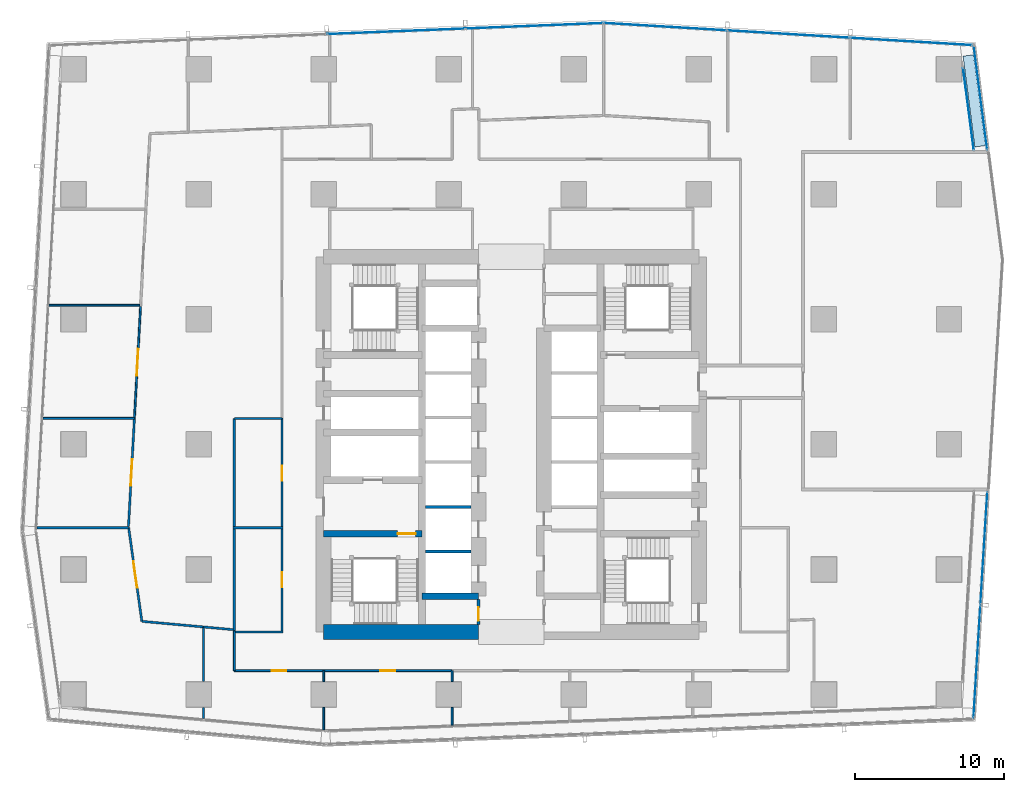
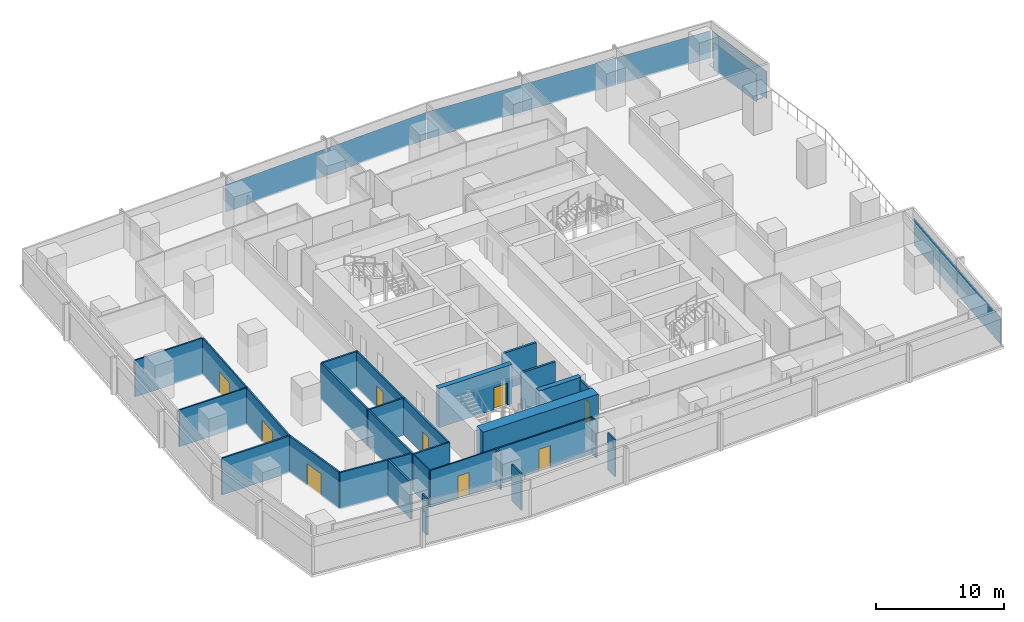
# One storey, part 28 of 40: 30 walls, 10 plates, 9 doors, 9 openings, 5 elements without a shape of their own.
"""IFC4 building model written with IfcOpenShell, lengths in metres."""

from ifc_helpers import new_model, si_unit, direction, frame, frame_2d, origin, origin_2d, place, context, subcontext, project, spatial, rectangle, extrude, material, layer, layer_set, type_object, element, fill, aggregate, save


model = new_model("IFC4")

# Units and contexts
model_context = context("Model", 3, precision=1e-05, world=origin(), true_north=direction((0.0, 1.0)))
body_context = subcontext(model_context, "Body", "Model", "MODEL_VIEW")
ifc_project = project(units=[si_unit("LENGTHUNIT", "METRE"), si_unit("AREAUNIT", "SQUARE_METRE"), si_unit("VOLUMEUNIT", "CUBIC_METRE"), si_unit("PLANEANGLEUNIT", "RADIAN"), si_unit("MASSUNIT", "GRAM", prefix="KILO")], contexts=[model_context])

# Site, building, storey
site_placement = place(None, origin())
site = spatial("IfcSite", under=ifc_project, at=site_placement, CompositionType="ELEMENT")
building_placement = place(site_placement, origin())
building = spatial("IfcBuilding", under=site, at=building_placement, Name="Rekha Terrace Tower", CompositionType="ELEMENT")
storey_placement = place(building_placement, frame((0.0, 0.0, 99.050048828125)))
storey = spatial("IfcBuildingStorey", under=building, at=storey_placement, Name="L24", CompositionType="ELEMENT", Elevation=99.050048828125)

# Curtain wall, plate
ifc_material_1 = material(Name="Aluminium framing", Category="aluminium")
curtain_wall_type_1 = type_object("IfcCurtainWallType", Name="CW1 double skin inner glazing", PredefinedType="USERDEFINED", material=ifc_material_1)
curtain_wall_1_placement = place(storey_placement, origin())
curtain_wall_1 = element("IfcCurtainWall", 1, at=curtain_wall_1_placement, inside=storey, type_object=curtain_wall_type_1, Name="CW1 double skin inner glazing", ObjectType="DOUBLE SKIN INNER GLAZING", PredefinedType="USERDEFINED")
ifc_material_2 = material(Name="Double-glazed low-e unit 32", Category="glass")
ifc_layer_1 = layer(ifc_material_2, 0.031982421875)
ifc_layer_set_1 = layer_set([ifc_layer_1], Name="Double-glazed low-e unit 32")
plate_type_1 = type_object("IfcPlateType", Name="CW1 jumbo vision panel, double-glazed low-e unit 32", PredefinedType="CURTAIN_PANEL", material=ifc_layer_set_1)
plate_1_placement = place(storey_placement, frame((68.512451171875, 56.134033203125, 0.0), z_axis=(0.0, 0.0, 1.0), x_axis=(-0.129118383745, 0.991629186228, 0.0)))
plate_1 = element("IfcPlate", 2, at=plate_1_placement, type_object=plate_type_1, Name="CW1 panel 1.1", PredefinedType="CURTAIN_PANEL", context=body_context, shape_type="SweptSolid", body=[
    extrude(rectangle(XDim=5.53564453125, YDim=0.031982421875, at=origin_2d()), origin(), (0.0, 0.0, 1.0), 2.60009765625),
])
aggregate(curtain_wall_1, [plate_1])

# Curtain wall, plates
curtain_wall_type_2 = type_object("IfcCurtainWallType", Name="CW2 double skin outer glazing", PredefinedType="USERDEFINED", material=ifc_material_1)
curtain_wall_2_placement = place(storey_placement, origin())
curtain_wall_2 = element("IfcCurtainWall", 3, at=curtain_wall_2_placement, inside=storey, type_object=curtain_wall_type_2, Name="CW2 double skin outer glazing", ObjectType="DOUBLE SKIN OUTER GLAZING", PredefinedType="USERDEFINED")
ifc_material_3 = material(Name="Toughened single glazing 12", Category="glass")
ifc_layer_2 = layer(ifc_material_3, 0.011962890625)
ifc_layer_set_2 = layer_set([ifc_layer_2], Name="Toughened single glazing 12")
plate_type_2 = type_object("IfcPlateType", Name="CW2 jumbo vision panel, toughened single glazing 12", PredefinedType="CURTAIN_PANEL", material=ifc_layer_set_2)
plate_2_placement = place(storey_placement, frame((69.085205078125, 19.005126953125, 0.0), z_axis=(0.0, 0.0, 1.0), x_axis=(0.061159803148, 0.998127987023, 0.0)))
plate_2 = element("IfcPlate", 4, at=plate_2_placement, type_object=plate_type_2, Name="CW2 panel 1.1", PredefinedType="CURTAIN_PANEL", context=body_context, shape_type="SweptSolid", body=[
    extrude(rectangle(XDim=7.55615234375, YDim=0.011962890625, at=origin_2d()), origin(), (0.0, 0.0, 1.0), 2.60009765625),
])
plate_3_placement = place(storey_placement, frame((69.55224609375, 26.627197265625, 0.0), z_axis=(0.0, 0.0, 1.0), x_axis=(0.061159803148, 0.998127987023, 0.0)))
plate_3 = element("IfcPlate", 5, at=plate_3_placement, type_object=plate_type_2, Name="CW2 panel 2.1", PredefinedType="CURTAIN_PANEL", context=body_context, shape_type="SweptSolid", body=[
    extrude(rectangle(XDim=7.55615234375, YDim=0.011962890625, at=origin_2d()), origin(), (0.0, 0.0, 1.0), 2.60009765625),
])
aggregate(curtain_wall_2, [plate_2, plate_3])

# Curtain wall, plate
curtain_wall_3_placement = place(storey_placement, origin())
curtain_wall_3 = element("IfcCurtainWall", 6, at=curtain_wall_3_placement, inside=storey, type_object=curtain_wall_type_2, Name="CW2 double skin outer glazing", ObjectType="DOUBLE SKIN OUTER GLAZING", PredefinedType="USERDEFINED")
plate_4_placement = place(storey_placement, frame((69.322265625, 56.88671875, 0.0), z_axis=(0.0, 0.0, 1.0), x_axis=(-0.12911838371, 0.991629186232, 0.0)))
plate_4 = element("IfcPlate", 7, at=plate_4_placement, type_object=plate_type_2, Name="CW2 panel 1.1", PredefinedType="CURTAIN_PANEL", context=body_context, shape_type="SweptSolid", body=[
    extrude(rectangle(XDim=7.0234375, YDim=0.011962890625, at=origin_2d()), origin(), (0.0, 0.0, 1.0), 2.60009765625),
])
aggregate(curtain_wall_3, [plate_4])

# Curtain wall, plates
curtain_wall_type_3 = type_object("IfcCurtainWallType", Name="CW3 north unitised glazing", PredefinedType="USERDEFINED", material=ifc_material_1)
curtain_wall_4_placement = place(storey_placement, origin())
curtain_wall_4 = element("IfcCurtainWall", 8, at=curtain_wall_4_placement, inside=storey, type_object=curtain_wall_type_3, Name="CW3 unitised curtain wall", ObjectType="UNITISED CURTAIN WALL", PredefinedType="USERDEFINED")
ifc_material_4 = material(Name="Double-glazed unit 28", Category="glass")
ifc_layer_3 = layer(ifc_material_4, 0.028076171875)
ifc_layer_set_3 = layer_set([ifc_layer_3], Name="Double-glazed unit 28")
plate_type_3 = type_object("IfcPlateType", Name="CW3 jumbo vision panel, double-glazed unit 28", PredefinedType="CURTAIN_PANEL", material=ifc_layer_set_3)
plate_5_placement = place(storey_placement, frame((64.6748046875, 60.65966796875, 0.0), z_axis=(0.0, 0.0, 1.0), x_axis=(-0.998199102701, 0.059987926837, 0.0)))
plate_5 = element("IfcPlate", 9, at=plate_5_placement, type_object=plate_type_3, Name="CW3 panel 1.1", PredefinedType="CURTAIN_PANEL", context=body_context, shape_type="SweptSolid", body=[
    extrude(rectangle(XDim=8.171630859375, YDim=0.028076171875, at=origin_2d()), origin(), (0.0, 0.0, 1.0), 2.60009765625),
])
plate_6_placement = place(storey_placement, frame((56.430419921875, 61.155029296875, 0.0), z_axis=(0.0, 0.0, 1.0), x_axis=(-0.998199102701, 0.059987926837, 0.0)))
plate_6 = element("IfcPlate", 10, at=plate_6_placement, type_object=plate_type_3, Name="CW3 panel 2.1", PredefinedType="CURTAIN_PANEL", context=body_context, shape_type="SweptSolid", body=[
    extrude(rectangle(XDim=8.20654296875, YDim=0.028076171875, at=origin_2d()), origin(), (0.0, 0.0, 1.0), 2.60009765625),
])
plate_7_placement = place(storey_placement, frame((48.1513671875, 61.652587890625, 0.0), z_axis=(0.0, 0.0, 1.0), x_axis=(-0.998199102701, 0.059987926837, 0.0)))
plate_7 = element("IfcPlate", 11, at=plate_7_placement, type_object=plate_type_3, Name="CW3 panel 3.1", PredefinedType="CURTAIN_PANEL", context=body_context, shape_type="SweptSolid", body=[
    extrude(rectangle(XDim=8.24169921875, YDim=0.028076171875, at=origin_2d()), origin(), (0.0, 0.0, 1.0), 2.60009765625),
])
aggregate(curtain_wall_4, [plate_5, plate_6, plate_7])

curtain_wall_5_placement = place(storey_placement, origin())
curtain_wall_5 = element("IfcCurtainWall", 12, at=curtain_wall_5_placement, inside=storey, type_object=curtain_wall_type_3, Name="CW3 unitised curtain wall", ObjectType="UNITISED CURTAIN WALL", PredefinedType="USERDEFINED")
plate_8_placement = place(storey_placement, frame((39.364501953125, 61.71240234375, 0.0), z_axis=(0.0, 0.0, 1.0), x_axis=(-0.999198398721, -0.040031987119, 0.0)))
plate_8 = element("IfcPlate", 13, at=plate_8_placement, type_object=plate_type_3, Name="CW3 panel 1.1", PredefinedType="CURTAIN_PANEL", context=body_context, shape_type="SweptSolid", body=[
    extrude(rectangle(XDim=9.214599609375, YDim=0.028076171875, at=origin_2d()), origin(), (0.0, 0.0, 1.0), 2.60009765625),
])
plate_9_placement = place(storey_placement, frame((30.06982421875, 61.340087890625, 0.0), z_axis=(0.0, 0.0, 1.0), x_axis=(-0.999198398721, -0.040031987119, 0.0)))
plate_9 = element("IfcPlate", 14, at=plate_9_placement, type_object=plate_type_3, Name="CW3 panel 2.1", PredefinedType="CURTAIN_PANEL", context=body_context, shape_type="SweptSolid", body=[
    extrude(rectangle(XDim=9.24951171875, YDim=0.028076171875, at=origin_2d()), origin(), (0.0, 0.0, 1.0), 2.60009765625),
])
aggregate(curtain_wall_5, [plate_8, plate_9])

# Plate
ifc_material_5 = material(Name="Galvanised steel open grating", Category="steel")
ifc_layer_4 = layer(ifc_material_5, 0.050048828125)
ifc_layer_set_4 = layer_set([ifc_layer_4], Name="Galvanised steel open grating")
plate_type_4 = type_object("IfcPlateType", Name="GT1 cavity walkway grating 50", PredefinedType="USERDEFINED", material=ifc_layer_set_4)
plate_10_placement = place(storey_placement, frame((68.896240234375, 56.673095703125, 0.0), z_axis=(0.0, 0.0, 1.0), x_axis=(-0.129118383623, 0.991629186244, 0.0)))
element("IfcPlate", 15, at=plate_10_placement, inside=storey, type_object=plate_type_4, Name="Cavity walkway grating", ObjectType="CAVITY WALKWAY GRATING", PredefinedType="USERDEFINED", context=body_context, shape_type="SweptSolid", body=[
    extrude(rectangle(XDim=6.15283203125, YDim=0.705078125, at=origin_2d()), origin(), (0.0, 0.0, 1.0), 0.050048828125),
])

# Wall
ifc_material_6 = material(Name="Concrete M70", Category="concrete")
ifc_layer_5 = layer(ifc_material_6, 0.449951171875)
ifc_layer_set_5 = layer_set([ifc_layer_5], Name="Concrete M70")
wall_type_1 = type_object("IfcWallType", Name="CI2 450 core internal shear wall", PredefinedType="SHEAR", material=ifc_layer_set_5)
wall_1_placement = place(storey_placement, frame((31.800048828125, 23.39990234375, 0.0), z_axis=(0.0, 0.0, 1.0), x_axis=(1.0, 0.0, 0.0)))
element("IfcWall", 16, at=wall_1_placement, inside=storey, type_object=wall_type_1, Name="Core wall Y234W L24", PredefinedType="SHEAR", context=body_context, shape_type="SweptSolid", body=[
    extrude(rectangle(XDim=3.800048828125, YDim=0.449951171875, at=frame_2d((1.89990234375, 0.0))), origin(), (0.0, 0.0, 1.0), 3.75),
])

# Wall, opening, door
wall_2_placement = place(storey_placement, frame((25.199951171875, 27.60009765625, 0.0), z_axis=(0.0, 0.0, 1.0), x_axis=(1.0, 0.0, 0.0)))
wall_2 = element("IfcWall", 17, at=wall_2_placement, inside=storey, type_object=wall_type_1, Name="Core wall Y276W L24", PredefinedType="SHEAR", context=body_context, shape_type="SweptSolid", body=[
    extrude(rectangle(XDim=6.60009765625, YDim=0.449951171875, at=frame_2d((3.300048828125, 0.0))), origin(), (0.0, 0.0, 1.0), 3.75),
])
opening_1_placement = place(wall_2_placement, frame((4.97509765625, 0.0, 0.0)))
opening_1 = element("IfcOpeningElement", 18, at=opening_1_placement, cuts=wall_2, Name="Opening D1", PredefinedType="OPENING", context=body_context, shape_type="SweptSolid", body=[
    extrude(rectangle(XDim=1.199951171875, YDim=2.10009765625, at=frame_2d((0.60009765625, 1.050048828125))), frame((0.0, 0.23486328125, 0.0), z_axis=(0.0, -1.0, 0.0), x_axis=(1.0, 0.0, 0.0)), (0.0, 0.0, 1.0), 0.469970703125),
])
ifc_material_7 = material(Name="Steel fire door", Category="steel")
door_type_1 = type_object("IfcDoorType", Name="D1 1200x2100 stair fire door", OperationType="SINGLE_SWING_RIGHT", PredefinedType="DOOR", material=ifc_material_7)
door_1_placement = place(opening_1_placement, origin())
door_1 = element("IfcDoor", 19, at=door_1_placement, inside=storey, type_object=door_type_1, Name="Stair ST1 door L24", OperationType="SINGLE_SWING_RIGHT", OverallHeight=2.10009765625, OverallWidth=1.199951171875, PredefinedType="DOOR", context=body_context, shape_type="SweptSolid", body=[
    extrude(rectangle(XDim=1.199951171875, YDim=2.10009765625, at=frame_2d((0.60009765625, 1.050048828125))), frame((0.0, 0.02490234375, 0.0), z_axis=(0.0, -1.0, 0.0), x_axis=(1.0, 0.0, 0.0)), (0.0, 0.0, 1.0), 0.050048828125),
])
fill(opening_1, door_1)

# Walls
ifc_layer_6 = layer(ifc_material_6, 1.0)
ifc_layer_set_6 = layer_set([ifc_layer_6], Name="Concrete M70")
wall_type_2 = type_object("IfcWallType", Name="SW2 1000 core outer shear wall", PredefinedType="SHEAR", material=ifc_layer_set_6)
wall_3_placement = place(storey_placement, frame((25.199951171875, 21.0, 0.0), z_axis=(0.0, 0.0, 1.0), x_axis=(1.0, 0.0, 0.0)))
element("IfcWall", 20, at=wall_3_placement, inside=storey, type_object=wall_type_2, Name="Core wall S1 L24", PredefinedType="SHEAR", context=body_context, shape_type="SweptSolid", body=[
    extrude(rectangle(XDim=10.400146484375, YDim=1.0, at=frame_2d((5.2001953125, 0.0))), origin(), (0.0, 0.0, 1.0), 3.75),
])
ifc_material_8 = material(Name="Concrete block masonry, 1 hour", Category="masonry")
ifc_layer_7 = layer(ifc_material_8, 0.14990234375)
ifc_layer_set_7 = layer_set([ifc_layer_7], Name="Concrete block masonry, 1 hour")
wall_type_3 = type_object("IfcWallType", Name="WP2 150 tenancy partition", PredefinedType="PARTITIONING", material=ifc_layer_set_7)
for number, where, z_axis, x_axis, name in (
    (21, (19.125, 21.0, 0.0), (0.0, 0.0, 1.0), (1.0, 0.0, 0.0), "Men's WC wall L24"),
    (22, (19.125, 28.0, 0.0), (0.0, 0.0, 1.0), (1.0, 0.0, 0.0), "Men's WC wall L24"),
):
    element("IfcWall", number, at=place(storey_placement, frame(where, z_axis=z_axis, x_axis=x_axis)), inside=storey, type_object=wall_type_3, Name=name, PredefinedType="PARTITIONING", context=body_context, shape_type="SweptSolid", body=[
        extrude(rectangle(XDim=3.35009765625, YDim=0.14990234375, at=frame_2d((1.675048828125, 0.0))), origin(), (0.0, 0.0, 1.0), 3.5),
    ])
wall_4_placement = place(storey_placement, frame((19.199951171875, 21.074951171875, 0.0), z_axis=(0.0, 0.0, 1.0), x_axis=(0.0, 1.0, 0.0)))
element("IfcWall", 23, at=wall_4_placement, inside=storey, type_object=wall_type_3, Name="Men's WC wall L24", PredefinedType="PARTITIONING", context=body_context, shape_type="SweptSolid", body=[
    extrude(rectangle(XDim=6.85009765625, YDim=0.14990234375, at=frame_2d((3.425048828125, 0.0))), origin(), (0.0, 0.0, 1.0), 3.5),
])

# Wall, opening, door
wall_5_placement = place(storey_placement, frame((22.39990234375, 21.074951171875, 0.0), z_axis=(0.0, 0.0, 1.0), x_axis=(0.0, 1.0, 0.0)))
wall_5 = element("IfcWall", 24, at=wall_5_placement, inside=storey, type_object=wall_type_3, Name="Men's WC wall L24", PredefinedType="PARTITIONING", context=body_context, shape_type="SweptSolid", body=[
    extrude(rectangle(XDim=6.85009765625, YDim=0.14990234375, at=frame_2d((3.425048828125, 0.0))), origin(), (0.0, 0.0, 1.0), 3.5),
])
opening_2_placement = place(wall_5_placement, frame((2.925048828125, 0.0, 0.0)))
opening_2 = element("IfcOpeningElement", 25, at=opening_2_placement, cuts=wall_5, Name="Opening D3", PredefinedType="OPENING", context=body_context, shape_type="SweptSolid", body=[
    extrude(rectangle(XDim=1.0, YDim=2.10009765625, at=frame_2d((0.5, 1.050048828125))), frame((0.0, 0.0849609375, 0.0), z_axis=(0.0, -1.0, 0.0), x_axis=(1.0, 0.0, 0.0)), (0.0, 0.0, 1.0), 0.169921875),
])
ifc_material_9 = material(Name="Laminated timber fire door", Category="wood")
door_type_2 = type_object("IfcDoorType", Name="D3 1000x2100 WC door", OperationType="SINGLE_SWING_LEFT", PredefinedType="DOOR", material=ifc_material_9)
door_2_placement = place(opening_2_placement, origin())
door_2 = element("IfcDoor", 26, at=door_2_placement, inside=storey, type_object=door_type_2, Name="Door men's wc L24", OperationType="SINGLE_SWING_LEFT", OverallHeight=2.10009765625, OverallWidth=1.0, PredefinedType="DOOR", context=body_context, shape_type="SweptSolid", body=[
    extrude(rectangle(XDim=1.0, YDim=2.10009765625, at=frame_2d((0.5, 1.050048828125))), frame((0.0, 0.02490234375, 0.0), z_axis=(0.0, -1.0, 0.0), x_axis=(1.0, 0.0, 0.0)), (0.0, 0.0, 1.0), 0.050048828125),
])
fill(opening_2, door_2)

# Walls
wall_6_placement = place(storey_placement, frame((22.39990234375, 35.343994140625, 0.0), z_axis=(0.0, 0.0, 1.0), x_axis=(-1.0, 0.0, 0.0)))
element("IfcWall", 27, at=wall_6_placement, inside=storey, type_object=wall_type_3, Name="Partition L24-O2b", PredefinedType="PARTITIONING", context=body_context, shape_type="SweptSolid", body=[
    extrude(rectangle(XDim=3.199951171875, YDim=0.14990234375, at=frame_2d((1.60009765625, 0.0))), origin(), (0.0, 0.0, 1.0), 3.5),
])
wall_7_placement = place(storey_placement, frame((19.199951171875, 35.343994140625, 0.0), z_axis=(0.0, 0.0, 1.0), x_axis=(0.0, -1.0, 0.0)))
element("IfcWall", 28, at=wall_7_placement, inside=storey, type_object=wall_type_3, Name="Partition L24-O2b", PredefinedType="PARTITIONING", context=body_context, shape_type="SweptSolid", body=[
    extrude(rectangle(XDim=7.4189453125, YDim=0.14990234375, at=frame_2d((3.70947265625, 0.0))), origin(), (0.0, 0.0, 1.0), 3.5),
])
wall_8_placement = place(storey_placement, frame((19.125, 21.153076171875, 0.0), z_axis=(0.0, 0.0, 1.0), x_axis=(-0.995937155539, 0.090050997869, 0.0)))
element("IfcWall", 29, at=wall_8_placement, inside=storey, type_object=wall_type_3, Name="Partition L24-O2b", PredefinedType="PARTITIONING", context=body_context, shape_type="SweptSolid", body=[
    extrude(rectangle(XDim=1.998046875, YDim=0.14990234375, at=frame_2d((0.9990234375, 0.0))), origin(), (0.0, 0.0, 1.0), 3.5),
])
wall_9_placement = place(storey_placement, frame((17.135009765625, 21.3330078125, 0.0), z_axis=(0.0, 0.0, 1.0), x_axis=(0.0, -1.0, 0.0)))
element("IfcWall", 30, at=wall_9_placement, inside=storey, type_object=wall_type_3, Name="Partition L24-O2b", PredefinedType="PARTITIONING", context=body_context, shape_type="SweptSolid", body=[
    extrude(rectangle(XDim=3.6630859375, YDim=0.14990234375, at=frame_2d((1.83154296875, 0.0))), origin(), (0.0, 0.0, 1.0), 3.5),
])
wall_10_placement = place(storey_placement, frame((17.135009765625, 15.929931640625, 0.0), z_axis=(0.0, 0.0, 1.0), x_axis=(0.0, -1.0, 0.0)))
element("IfcWall", 31, at=wall_10_placement, inside=storey, type_object=wall_type_3, Name="Partition L24-O2b", PredefinedType="PARTITIONING", context=body_context, shape_type="SweptSolid", body=[
    extrude(rectangle(XDim=0.741943359375, YDim=0.14990234375, at=frame_2d((0.37109375, 0.0))), origin(), (0.0, 0.0, 1.0), 3.5),
])
wall_11_placement = place(storey_placement, frame((17.134033203125, 21.3330078125, 0.0), z_axis=(0.0, 0.0, 1.0), x_axis=(-0.995896088747, 0.090504035375, 0.0)))
element("IfcWall", 32, at=wall_11_placement, inside=storey, type_object=wall_type_3, Name="Partition L24-O2b", PredefinedType="PARTITIONING", context=body_context, shape_type="SweptSolid", body=[
    extrude(rectangle(XDim=4.1650390625, YDim=0.14990234375, at=frame_2d((2.08251953125, 0.0))), origin(), (0.0, 0.0, 1.0), 3.5),
])

# Wall, opening, door
wall_12_placement = place(storey_placement, frame((12.986083984375, 21.7099609375, 0.0), z_axis=(0.0, 0.0, 1.0), x_axis=(-0.139650607895, 0.99020084211, 0.0)))
wall_12 = element("IfcWall", 33, at=wall_12_placement, inside=storey, type_object=wall_type_3, Name="Partition L24-O2b", PredefinedType="PARTITIONING", context=body_context, shape_type="SweptSolid", body=[
    extrude(rectangle(XDim=6.351318359375, YDim=0.14990234375, at=frame_2d((3.17578125, 0.0))), origin(), (0.0, 0.0, 1.0), 3.5),
])
opening_3_placement = place(wall_12_placement, frame((2.27587890625, 0.0, 0.0)))
opening_3 = element("IfcOpeningElement", 34, at=opening_3_placement, cuts=wall_12, Name="Opening D8", PredefinedType="OPENING", context=body_context, shape_type="SweptSolid", body=[
    extrude(rectangle(XDim=1.800048828125, YDim=2.10009765625, at=frame_2d((0.89990234375, 1.050048828125))), frame((0.0, 0.0849609375, 0.0), z_axis=(0.0, -1.0, 0.0), x_axis=(1.0, 0.0, 0.0)), (0.0, 0.0, 1.0), 0.169921875),
])
ifc_material_10 = material(Name="Timber fire door", Category="wood")
door_type_3 = type_object("IfcDoorType", Name="D8 1800x2100 double leaf door", OperationType="DOUBLE_DOOR_SINGLE_SWING", PredefinedType="DOOR", material=ifc_material_10)
door_3_placement = place(opening_3_placement, origin())
door_3 = element("IfcDoor", 35, at=door_3_placement, inside=storey, type_object=door_type_3, Name="Door breakout lounge L24", OperationType="DOUBLE_DOOR_SINGLE_SWING", OverallHeight=2.10009765625, OverallWidth=1.800048828125, PredefinedType="DOOR", context=body_context, shape_type="SweptSolid", body=[
    extrude(rectangle(XDim=1.800048828125, YDim=2.10009765625, at=frame_2d((0.89990234375, 1.050048828125))), frame((0.0, 0.02490234375, 0.0), z_axis=(0.0, -1.0, 0.0), x_axis=(1.0, 0.0, 0.0)), (0.0, 0.0, 1.0), 0.050048828125),
])
fill(opening_3, door_3)

# Wall
wall_13_placement = place(storey_placement, frame((12.09912109375, 27.9990234375, 0.0), z_axis=(0.0, 0.0, 1.0), x_axis=(-1.0, 0.0, 0.0)))
element("IfcWall", 36, at=wall_13_placement, inside=storey, type_object=wall_type_3, Name="Partition L24-O2b", PredefinedType="PARTITIONING", context=body_context, shape_type="SweptSolid", body=[
    extrude(rectangle(XDim=6.14501953125, YDim=0.14990234375, at=frame_2d((3.072509765625, 0.0))), origin(), (0.0, 0.0, 1.0), 3.5),
])

# Wall, opening, door
wall_14_placement = place(storey_placement, frame((12.087890625, 28.0791015625, 0.0), z_axis=(0.0, 0.0, 1.0), x_axis=(0.0547358223, 0.998500871185, 0.0)))
wall_14 = element("IfcWall", 37, at=wall_14_placement, inside=storey, type_object=wall_type_3, Name="Partition L24-O2b", PredefinedType="PARTITIONING", context=body_context, shape_type="SweptSolid", body=[
    extrude(rectangle(XDim=7.27490234375, YDim=0.14990234375, at=frame_2d((3.637451171875, 0.0))), origin(), (0.0, 0.0, 1.0), 3.5),
])
opening_4_placement = place(wall_14_placement, frame((2.737060546875, 0.0, 0.0)))
opening_4 = element("IfcOpeningElement", 38, at=opening_4_placement, cuts=wall_14, Name="Opening D8", PredefinedType="OPENING", context=body_context, shape_type="SweptSolid", body=[
    extrude(rectangle(XDim=1.800048828125, YDim=2.10009765625, at=frame_2d((0.89990234375, 1.050048828125))), frame((0.0, 0.0849609375, 0.0), z_axis=(0.0, -1.0, 0.0), x_axis=(1.0, 0.0, 0.0)), (0.0, 0.0, 1.0), 0.169921875),
])
door_4_placement = place(opening_4_placement, origin())
door_4 = element("IfcDoor", 39, at=door_4_placement, inside=storey, type_object=door_type_3, Name="Door breakout lounge L24", OperationType="DOUBLE_DOOR_SINGLE_SWING", OverallHeight=2.10009765625, OverallWidth=1.800048828125, PredefinedType="DOOR", context=body_context, shape_type="SweptSolid", body=[
    extrude(rectangle(XDim=1.800048828125, YDim=2.10009765625, at=frame_2d((0.89990234375, 1.050048828125))), frame((0.0, 0.02490234375, 0.0), z_axis=(0.0, -1.0, 0.0), x_axis=(1.0, 0.0, 0.0)), (0.0, 0.0, 1.0), 0.050048828125),
])
fill(opening_4, door_4)

# Wall
ifc_material_11 = material(Name="Two layers of fire-rated gypsum board each side on steel studs, acoustic quilt, 1 hour", Category="steel")
ifc_layer_8 = layer(ifc_material_11, 0.125)
ifc_layer_set_8 = layer_set([ifc_layer_8], Name="Two layers of fire-rated gypsum board each side on steel studs, acoustic quilt, 1 hour")
wall_type_4 = type_object("IfcWallType", Name="WP3 125 office partition", PredefinedType="PARTITIONING", material=ifc_layer_set_8)
wall_15_placement = place(storey_placement, frame((12.840087890625, 42.943115234375, 0.0), z_axis=(0.0, 0.0, 1.0), x_axis=(-1.0, 0.0, 0.0)))
element("IfcWall", 40, at=wall_15_placement, inside=storey, type_object=wall_type_4, Name="Partition L24-08", PredefinedType="PARTITIONING", context=body_context, shape_type="SweptSolid", body=[
    extrude(rectangle(XDim=6.09619140625, YDim=0.125, at=frame_2d((3.048095703125, 0.0))), origin(), (0.0, 0.0, 1.0), 3.5),
])

# Wall, opening, door
wall_16_placement = place(storey_placement, frame((12.89892578125, 42.8720703125, 0.0), z_axis=(0.0, 0.0, 1.0), x_axis=(-0.054757999578, -0.998499655224, 0.0)))
wall_16 = element("IfcWall", 41, at=wall_16_placement, inside=storey, type_object=wall_type_4, Name="Partition L24-09", PredefinedType="PARTITIONING", context=body_context, shape_type="SweptSolid", body=[
    extrude(rectangle(XDim=7.539306640625, YDim=0.125, at=frame_2d((3.76953125, 0.0))), origin(), (0.0, 0.0, 1.0), 3.5),
])
opening_5_placement = place(wall_16_placement, frame((2.8701171875, 0.0, 0.0)))
opening_5 = element("IfcOpeningElement", 42, at=opening_5_placement, cuts=wall_16, Name="Opening D8", PredefinedType="OPENING", context=body_context, shape_type="SweptSolid", body=[
    extrude(rectangle(XDim=1.800048828125, YDim=2.10009765625, at=frame_2d((0.89990234375, 1.050048828125))), frame((0.0, 0.072509765625, 0.0), z_axis=(0.0, -1.0, 0.0), x_axis=(1.0, 0.0, 0.0)), (0.0, 0.0, 1.0), 0.14501953125),
])
door_5_placement = place(opening_5_placement, origin())
door_5 = element("IfcDoor", 43, at=door_5_placement, inside=storey, type_object=door_type_3, Name="Door breakout lounge L24", OperationType="DOUBLE_DOOR_SINGLE_SWING", OverallHeight=2.10009765625, OverallWidth=1.800048828125, PredefinedType="DOOR", context=body_context, shape_type="SweptSolid", body=[
    extrude(rectangle(XDim=1.800048828125, YDim=2.10009765625, at=frame_2d((0.89990234375, 1.050048828125))), frame((0.0, 0.02490234375, 0.0), z_axis=(0.0, -1.0, 0.0), x_axis=(1.0, 0.0, 0.0)), (0.0, 0.0, 1.0), 0.050048828125),
])
fill(opening_5, door_5)

# Walls
wall_17_placement = place(storey_placement, frame((12.486083984375, 35.343994140625, 0.0), z_axis=(0.0, 0.0, 1.0), x_axis=(-1.0, 0.0, 0.0)))
element("IfcWall", 44, at=wall_17_placement, inside=storey, type_object=wall_type_4, Name="Partition L24-09", PredefinedType="PARTITIONING", context=body_context, shape_type="SweptSolid", body=[
    extrude(rectangle(XDim=6.129150390625, YDim=0.125, at=frame_2d((3.064453125, 0.0))), origin(), (0.0, 0.0, 1.0), 3.5),
])
wall_18_placement = place(storey_placement, frame((25.200927734375, 18.39990234375, 0.0), z_axis=(0.0, 0.0, 1.0), x_axis=(0.0, -1.0, 0.0)))
element("IfcWall", 45, at=wall_18_placement, inside=storey, type_object=wall_type_4, Name="Partition L24-16", PredefinedType="PARTITIONING", context=body_context, shape_type="SweptSolid", body=[
    extrude(rectangle(XDim=0.72998046875, YDim=0.125, at=frame_2d((0.364990234375, 0.0))), origin(), (0.0, 0.0, 1.0), 3.5),
])
wall_19_placement = place(storey_placement, frame((25.200927734375, 15.929931640625, 0.0), z_axis=(0.0, 0.0, 1.0), x_axis=(0.0, -1.0, 0.0)))
element("IfcWall", 46, at=wall_19_placement, inside=storey, type_object=wall_type_4, Name="Partition L24-16", PredefinedType="PARTITIONING", context=body_context, shape_type="SweptSolid", body=[
    extrude(rectangle(XDim=1.5048828125, YDim=0.125, at=frame_2d((0.75244140625, 0.0))), origin(), (0.0, 0.0, 1.0), 3.5),
])
wall_20_placement = place(storey_placement, frame((19.199951171875, 21.073974609375, 0.0), z_axis=(0.0, 0.0, 1.0), x_axis=(0.0, -1.0, 0.0)))
element("IfcWall", 47, at=wall_20_placement, inside=storey, type_object=wall_type_4, Name="Partition L24-16", PredefinedType="PARTITIONING", context=body_context, shape_type="SweptSolid", body=[
    extrude(rectangle(XDim=2.674072265625, YDim=0.125, at=frame_2d((1.3369140625, 0.0))), origin(), (0.0, 0.0, 1.0), 3.5),
])

# Wall, opening, door
wall_21_placement = place(storey_placement, frame((19.199951171875, 18.39990234375, 0.0), z_axis=(0.0, 0.0, 1.0), x_axis=(1.0, 0.0, 0.0)))
wall_21 = element("IfcWall", 48, at=wall_21_placement, inside=storey, type_object=wall_type_4, Name="Partition L24-16", PredefinedType="PARTITIONING", context=body_context, shape_type="SweptSolid", body=[
    extrude(rectangle(XDim=6.0009765625, YDim=0.125, at=frame_2d((3.00048828125, 0.0))), origin(), (0.0, 0.0, 1.0), 3.5),
])
opening_6_placement = place(wall_21_placement, frame((2.5, 0.0, 0.0)))
opening_6 = element("IfcOpeningElement", 49, at=opening_6_placement, cuts=wall_21, Name="Opening D9", PredefinedType="OPENING", context=body_context, shape_type="SweptSolid", body=[
    extrude(rectangle(XDim=1.0, YDim=2.10009765625, at=frame_2d((0.5, 1.050048828125))), frame((0.0, 0.072509765625, 0.0), z_axis=(0.0, -1.0, 0.0), x_axis=(1.0, 0.0, 0.0)), (0.0, 0.0, 1.0), 0.14501953125),
])
door_type_4 = type_object("IfcDoorType", Name="D9 1000x2100 office door", OperationType="SINGLE_SWING_LEFT", PredefinedType="DOOR", material=ifc_material_10)
door_6_placement = place(opening_6_placement, origin())
door_6 = element("IfcDoor", 50, at=door_6_placement, inside=storey, type_object=door_type_4, Name="Door storage room L24", OperationType="SINGLE_SWING_LEFT", OverallHeight=2.10009765625, OverallWidth=1.0, PredefinedType="DOOR", context=body_context, shape_type="SweptSolid", body=[
    extrude(rectangle(XDim=1.0, YDim=2.10009765625, at=frame_2d((0.5, 1.050048828125))), frame((0.0, 0.02490234375, 0.0), z_axis=(0.0, -1.0, 0.0), x_axis=(1.0, 0.0, 0.0)), (0.0, 0.0, 1.0), 0.050048828125),
])
fill(opening_6, door_6)

wall_22_placement = place(storey_placement, frame((25.201904296875, 18.39990234375, 0.0), z_axis=(0.0, 0.0, 1.0), x_axis=(1.0, 0.0, 0.0)))
wall_22 = element("IfcWall", 51, at=wall_22_placement, inside=storey, type_object=wall_type_4, Name="Partition L24-17", PredefinedType="PARTITIONING", context=body_context, shape_type="SweptSolid", body=[
    extrude(rectangle(XDim=8.623046875, YDim=0.125, at=frame_2d((4.3115234375, 0.0))), origin(), (0.0, 0.0, 1.0), 3.5),
])
opening_7_placement = place(wall_22_placement, frame((3.81103515625, 0.0, 0.0)))
opening_7 = element("IfcOpeningElement", 52, at=opening_7_placement, cuts=wall_22, Name="Opening D9", PredefinedType="OPENING", context=body_context, shape_type="SweptSolid", body=[
    extrude(rectangle(XDim=1.0, YDim=2.10009765625, at=frame_2d((0.5, 1.050048828125))), frame((0.0, 0.072509765625, 0.0), z_axis=(0.0, -1.0, 0.0), x_axis=(1.0, 0.0, 0.0)), (0.0, 0.0, 1.0), 0.14501953125),
])
door_7_placement = place(opening_7_placement, origin())
door_7 = element("IfcDoor", 53, at=door_7_placement, inside=storey, type_object=door_type_4, Name="Door training and meeting room L24", OperationType="SINGLE_SWING_LEFT", OverallHeight=2.10009765625, OverallWidth=1.0, PredefinedType="DOOR", context=body_context, shape_type="SweptSolid", body=[
    extrude(rectangle(XDim=1.0, YDim=2.10009765625, at=frame_2d((0.5, 1.050048828125))), frame((0.0, 0.02490234375, 0.0), z_axis=(0.0, -1.0, 0.0), x_axis=(1.0, 0.0, 0.0)), (0.0, 0.0, 1.0), 0.050048828125),
])
fill(opening_7, door_7)

# Walls
wall_23_placement = place(storey_placement, frame((33.824951171875, 18.39990234375, 0.0), z_axis=(0.0, 0.0, 1.0), x_axis=(0.0, -1.0, 0.0)))
element("IfcWall", 54, at=wall_23_placement, inside=storey, type_object=wall_type_4, Name="Partition L24-17", PredefinedType="PARTITIONING", context=body_context, shape_type="SweptSolid", body=[
    extrude(rectangle(XDim=0.72998046875, YDim=0.125, at=frame_2d((0.364990234375, 0.0))), origin(), (0.0, 0.0, 1.0), 3.5),
])
wall_24_placement = place(storey_placement, frame((33.824951171875, 15.929931640625, 0.0), z_axis=(0.0, 0.0, 1.0), x_axis=(0.0, -1.0, 0.0)))
element("IfcWall", 55, at=wall_24_placement, inside=storey, type_object=wall_type_4, Name="Partition L24-17", PredefinedType="PARTITIONING", context=body_context, shape_type="SweptSolid", body=[
    extrude(rectangle(XDim=1.18798828125, YDim=0.125, at=frame_2d((0.593994140625, 0.0))), origin(), (0.0, 0.0, 1.0), 3.5),
])

# Wall, opening, door
wall_25_placement = place(storey_placement, frame((22.39990234375, 35.343017578125, 0.0), z_axis=(0.0, 0.0, 1.0), x_axis=(0.0, -1.0, 0.0)))
wall_25 = element("IfcWall", 56, at=wall_25_placement, inside=storey, type_object=wall_type_4, Name="Partition L24-19", PredefinedType="PARTITIONING", context=body_context, shape_type="SweptSolid", body=[
    extrude(rectangle(XDim=7.26806640625, YDim=0.125, at=frame_2d((3.634033203125, 0.0))), origin(), (0.0, 0.0, 1.0), 3.5),
])
opening_8_placement = place(wall_25_placement, frame((3.172119140625, 0.0, 0.0)))
opening_8 = element("IfcOpeningElement", 57, at=opening_8_placement, cuts=wall_25, Name="Opening D9", PredefinedType="OPENING", context=body_context, shape_type="SweptSolid", body=[
    extrude(rectangle(XDim=1.0, YDim=2.10009765625, at=frame_2d((0.5, 1.050048828125))), frame((0.0, 0.072509765625, 0.0), z_axis=(0.0, -1.0, 0.0), x_axis=(1.0, 0.0, 0.0)), (0.0, 0.0, 1.0), 0.14501953125),
])
door_8_placement = place(opening_8_placement, origin())
door_8 = element("IfcDoor", 58, at=door_8_placement, inside=storey, type_object=door_type_4, Name="Door reception L24", OperationType="SINGLE_SWING_LEFT", OverallHeight=2.10009765625, OverallWidth=1.0, PredefinedType="DOOR", context=body_context, shape_type="SweptSolid", body=[
    extrude(rectangle(XDim=1.0, YDim=2.10009765625, at=frame_2d((0.5, 1.050048828125))), frame((0.0, 0.02490234375, 0.0), z_axis=(0.0, -1.0, 0.0), x_axis=(1.0, 0.0, 0.0)), (0.0, 0.0, 1.0), 0.050048828125),
])
fill(opening_8, door_8)

# Walls
ifc_material_12 = material(Name="Solid concrete block masonry, 2 hour", Category="masonry")
ifc_layer_9 = layer(ifc_material_12, 0.199951171875)
ifc_layer_set_9 = layer_set([ifc_layer_9], Name="Solid concrete block masonry, 2 hour")
wall_type_5 = type_object("IfcWallType", Name="WS1 200 stair and shaft enclosure", PredefinedType="PARTITIONING", material=ifc_layer_set_9)
for number, where, z_axis, x_axis, name in (
    (59, (32.02490234375, 26.39990234375, 0.0), (0.0, 0.0, 1.0), (1.0, 0.0, 0.0), "Lift shaft divider L24"),
    (60, (32.02490234375, 29.39990234375, 0.0), (0.0, 0.0, 1.0), (1.0, 0.0, 0.0), "Lift shaft divider L24"),
):
    element("IfcWall", number, at=place(storey_placement, frame(where, z_axis=z_axis, x_axis=x_axis)), inside=storey, type_object=wall_type_5, Name=name, PredefinedType="PARTITIONING", context=body_context, shape_type="SweptSolid", body=[
        extrude(rectangle(XDim=3.0751953125, YDim=0.199951171875, at=frame_2d((1.53759765625, 0.0))), origin(), (0.0, 0.0, 1.0), 3.5),
    ])

# Wall, opening, door
wall_26_placement = place(storey_placement, frame((35.60009765625, 21.5, 0.0), z_axis=(0.0, 0.0, 1.0), x_axis=(0.0, 1.0, 0.0)))
wall_26 = element("IfcWall", 61, at=wall_26_placement, inside=storey, type_object=wall_type_5, Name="Core partition west L24", PredefinedType="PARTITIONING", context=body_context, shape_type="SweptSolid", body=[
    extrude(rectangle(XDim=1.675048828125, YDim=0.199951171875, at=frame_2d((0.83740234375, 0.0))), origin(), (0.0, 0.0, 1.0), 3.5),
])
opening_9_placement = place(wall_26_placement, frame((0.25, 0.0, 0.0)))
opening_9 = element("IfcOpeningElement", 62, at=opening_9_placement, cuts=wall_26, Name="Opening D5", PredefinedType="OPENING", context=body_context, shape_type="SweptSolid", body=[
    extrude(rectangle(XDim=0.89990234375, YDim=2.10009765625, at=frame_2d((0.449951171875, 1.050048828125))), frame((0.0, 0.10986328125, 0.0), z_axis=(0.0, -1.0, 0.0), x_axis=(1.0, 0.0, 0.0)), (0.0, 0.0, 1.0), 0.219970703125),
])
door_type_5 = type_object("IfcDoorType", Name="D5 900x2100 riser access door", OperationType="SINGLE_SWING_LEFT", PredefinedType="DOOR", material=ifc_material_7)
door_9_placement = place(opening_9_placement, origin())
door_9 = element("IfcDoor", 63, at=door_9_placement, inside=storey, type_object=door_type_5, Name="Door cleaner's store L24", OperationType="SINGLE_SWING_LEFT", OverallHeight=2.10009765625, OverallWidth=0.89990234375, PredefinedType="DOOR", context=body_context, shape_type="SweptSolid", body=[
    extrude(rectangle(XDim=0.89990234375, YDim=2.10009765625, at=frame_2d((0.449951171875, 1.050048828125))), frame((0.0, 0.02490234375, 0.0), z_axis=(0.0, -1.0, 0.0), x_axis=(1.0, 0.0, 0.0)), (0.0, 0.0, 1.0), 0.050048828125),
])
fill(opening_9, door_9)

save(model, "model.ifc")
